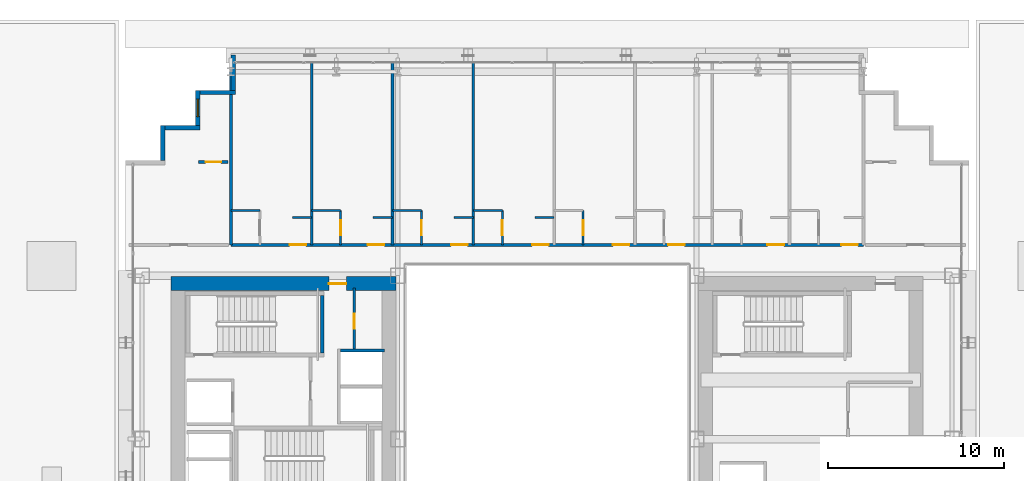
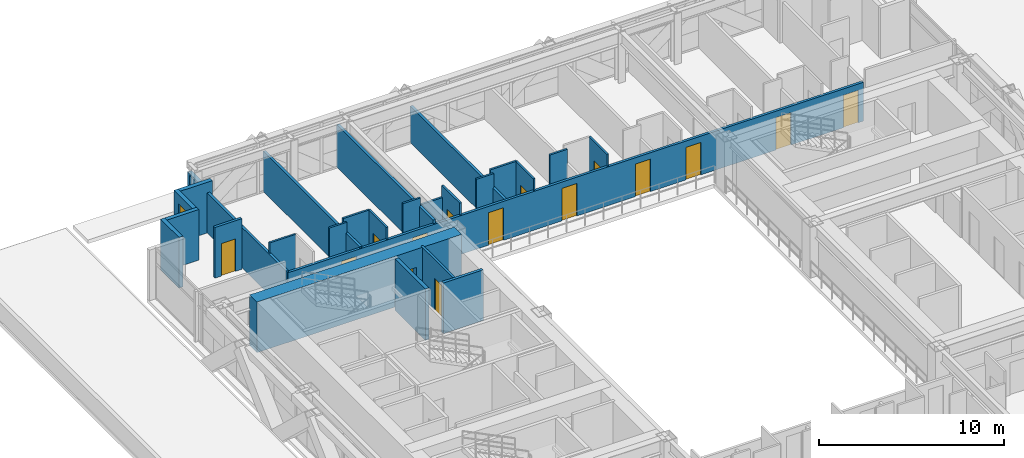
# One storey, part 29 of 35: 27 walls, 15 doors, 1 window, 16 openings.
"""IFC4 building model written with IfcOpenShell, lengths in metres."""

from ifc_helpers import new_model, si_unit, direction, frame, frame_2d, origin, place, context, subcontext, project, spatial, rectangle, extrude, source, transform, mapped, material, layer, layer_set, type_object, element, fill, save


model = new_model("IFC4")

# Units and contexts
model_context = context("Model", 3, precision=1e-05, world=origin(), true_north=direction((0.0, 1.0)))
body_context = subcontext(model_context, "Body", "Model", "MODEL_VIEW")
ifc_project = project(units=[si_unit("LENGTHUNIT", "METRE"), si_unit("AREAUNIT", "SQUARE_METRE"), si_unit("VOLUMEUNIT", "CUBIC_METRE"), si_unit("PLANEANGLEUNIT", "RADIAN"), si_unit("MASSUNIT", "GRAM", prefix="KILO")], contexts=[model_context])

# Site, building, storey
site_placement = place(None, origin())
site = spatial("IfcSite", under=ifc_project, at=site_placement, CompositionType="ELEMENT")
building_placement = place(site_placement, origin())
building = spatial("IfcBuilding", under=site, at=building_placement, Name="Ocotamira Hotel", CompositionType="ELEMENT")
storey_placement = place(building_placement, frame((0.0, 0.0, 34.800048828125)))
storey = spatial("IfcBuildingStorey", under=building, at=storey_placement, Name="L07", CompositionType="ELEMENT", Elevation=34.800048828125)

# Wall, opening, door
ifc_material_1 = material(Name="Concrete C60/75", Category="concrete")
ifc_layer_1 = layer(ifc_material_1, 0.800048828125)
ifc_layer_set_1 = layer_set([ifc_layer_1], Name="Concrete C60/75")
wall_type_1 = type_object("IfcWallType", Name="WL-CORE-800", PredefinedType="SHEAR", material=ifc_layer_set_1)
wall_1_placement = place(storey_placement, frame((10.60009765625, 37.0, 0.0), z_axis=(0.0, 0.0, 1.0), x_axis=(1.0, 0.0, 0.0)))
wall_1 = element("IfcWall", 1, at=wall_1_placement, inside=storey, type_object=wall_type_1, Name="L07 Shear Core Wall WCORE-N", PredefinedType="SHEAR", context=body_context, shape_type="SweptSolid", body=[
    extrude(rectangle(XDim=12.7998046875, YDim=0.800048828125, at=frame_2d((6.39990234375, 0.0))), origin(), (0.0, 0.0, 1.0), 3.349853515625),
])
opening_1_placement = place(wall_1_placement, frame((8.97998046875, 0.0, 0.0)))
opening_1 = element("IfcOpeningElement", 2, at=opening_1_placement, cuts=wall_1, Name="Opening D-FR2", PredefinedType="OPENING", context=body_context, shape_type="SweptSolid", body=[
    extrude(rectangle(XDim=1.0, YDim=2.14990234375, at=frame_2d((0.5, 1.074951171875))), frame((0.0, 0.41015625, 0.0), z_axis=(0.0, -1.0, 0.0), x_axis=(1.0, 0.0, 0.0)), (0.0, 0.0, 1.0), 0.820068359375),
])
ifc_material_2 = material(Name="Fire-rated acoustic timber-veneer door", Category="wood")
door_type_1 = type_object("IfcDoorType", Name="DR-FIRE-1000", OperationType="NOTDEFINED", PredefinedType="DOOR", material=ifc_material_2)
shared_shape_1 = source(origin(), body_context, "Body", "SweptSolid", [
    extrude(rectangle(XDim=1.0, YDim=2.14990234375, at=frame_2d((0.5, 1.074951171875))), frame((0.0, 0.02490234375, 0.0), z_axis=(0.0, -1.0, 0.0), x_axis=(1.0, 0.0, 0.0)), (0.0, 0.0, 1.0), 0.050048828125),
])
door_1_placement = place(opening_1_placement, origin())
door_1 = element("IfcDoor", 3, at=door_1_placement, inside=storey, type_object=door_type_1, Name="L07 Door ID-L07-WLOB-N-D [ID-L07-WLOB-N-D]", OperationType="SINGLE_SWING_RIGHT", OverallHeight=2.14990234375, OverallWidth=1.0, PredefinedType="DOOR", context=body_context, shape_type="MappedRepresentation", body=[
    mapped(shared_shape_1, transform((0.0, 0.0, 0.0), scale=1.0)),
])
fill(opening_1, door_1)

# Walls
ifc_material_3 = material(Name="Precast concrete C45/55", Category="concrete")
ifc_layer_2 = layer(ifc_material_3, 0.25)
ifc_layer_set_2 = layer_set([ifc_layer_2], Name="Precast concrete C45/55")
wall_type_2 = type_object("IfcWallType", Name="WL-EXT-SER-250", PredefinedType="SOLIDWALL", material=ifc_layer_set_2)
wall_2_placement = place(storey_placement, frame((14.125, 50.0, 0.0), z_axis=(0.0, 0.0, 1.0), x_axis=(0.0, -1.0, 0.0)))
element("IfcWall", 4, at=wall_2_placement, inside=storey, type_object=wall_type_2, Name="L07 Serrated Corner Wall 13", PredefinedType="SOLIDWALL", context=body_context, shape_type="SweptSolid", body=[
    extrude(rectangle(XDim=2.0, YDim=0.25, at=frame_2d((1.0, 0.0))), origin(), (0.0, 0.0, 1.0), 2.656982421875),
])
wall_3_placement = place(storey_placement, frame((14.25, 47.875, 0.0), z_axis=(0.0, 0.0, 1.0), x_axis=(-1.0, 0.0, 0.0)))
element("IfcWall", 5, at=wall_3_placement, inside=storey, type_object=wall_type_2, Name="L07 Serrated Corner Wall 14", PredefinedType="SOLIDWALL", context=body_context, shape_type="SweptSolid", body=[
    extrude(rectangle(XDim=2.0, YDim=0.25, at=frame_2d((1.0, 0.0))), origin(), (0.0, 0.0, 1.0), 3.349853515625),
])

# Wall, opening, window
wall_4_placement = place(storey_placement, frame((12.125, 48.0, 0.0), z_axis=(0.0, 0.0, 1.0), x_axis=(0.0, -1.0, 0.0)))
wall_4 = element("IfcWall", 6, at=wall_4_placement, inside=storey, type_object=wall_type_2, Name="L07 Serrated Corner Wall 15", PredefinedType="SOLIDWALL", context=body_context, shape_type="SweptSolid", body=[
    extrude(rectangle(XDim=2.0, YDim=0.25, at=frame_2d((1.0, 0.0))), origin(), (0.0, 0.0, 1.0), 3.349853515625),
])
opening_2_placement = place(wall_4_placement, frame((0.5, 0.0, 0.85009765625)))
opening_2 = element("IfcOpeningElement", 7, at=opening_2_placement, cuts=wall_4, Name="Opening WN-2", PredefinedType="OPENING", context=body_context, shape_type="SweptSolid", body=[
    extrude(rectangle(XDim=1.0, YDim=1.89990234375, at=frame_2d((0.5, 0.949951171875))), frame((0.0, 0.135009765625, 0.0), z_axis=(0.0, -1.0, 0.0), x_axis=(1.0, 0.0, 0.0)), (0.0, 0.0, 1.0), 0.27001953125),
])
ifc_material_4 = material(Name="Double-silver low-E solar glass", Category="glass")
window_type = type_object("IfcWindowType", Name="WIN-SER-1100", PartitioningType="SINGLE_PANEL", PredefinedType="WINDOW", material=ifc_material_4)
shared_shape_2 = source(origin(), body_context, "Body", "SweptSolid", [
    extrude(rectangle(XDim=1.0, YDim=1.89990234375, at=frame_2d((0.5, 0.949951171875))), frame((0.0, 0.030029296875, 0.0), z_axis=(0.0, -1.0, 0.0), x_axis=(1.0, 0.0, 0.0)), (0.0, 0.0, 1.0), 0.06005859375),
])
window_placement = place(opening_2_placement, origin())
window = element("IfcWindow", 8, at=window_placement, inside=storey, type_object=window_type, Name="L07 Serrated Corner Window 15", OverallHeight=1.89990234375, OverallWidth=1.0, PartitioningType="SINGLE_PANEL", PredefinedType="WINDOW", context=body_context, shape_type="MappedRepresentation", body=[
    mapped(shared_shape_2, transform((0.0, 0.0, 0.0), scale=1.0)),
])
fill(opening_2, window)

# Walls
for number, where, z_axis, x_axis, name in (
    (9, (12.25, 45.875, 0.0), (0.0, 0.0, 1.0), (-1.0, 0.0, 0.0), "L07 Serrated Corner Wall 16"),
    (10, (10.125, 46.0, 0.0), (0.0, 0.0, 1.0), (0.0, -1.0, 0.0), "L07 Serrated Corner Wall 17"),
):
    element("IfcWall", number, at=place(storey_placement, frame(where, z_axis=z_axis, x_axis=x_axis)), inside=storey, type_object=wall_type_2, Name=name, PredefinedType="SOLIDWALL", context=body_context, shape_type="SweptSolid", body=[
        extrude(rectangle(XDim=2.0, YDim=0.25, at=frame_2d((1.0, 0.0))), origin(), (0.0, 0.0, 1.0), 3.349853515625),
    ])

# Wall, opening, door
ifc_material_5 = material(Name="Acoustic double-layer fire gypsum board partition", Category="gypsum")
ifc_layer_3 = layer(ifc_material_5, 0.159912109375)
ifc_layer_set_3 = layer_set([ifc_layer_3], Name="Acoustic double-layer fire gypsum board partition")
wall_type_3 = type_object("IfcWallType", Name="WL-FIRE-160", PredefinedType="PARTITIONING", material=ifc_layer_set_3)
wall_5_placement = place(storey_placement, frame((12.14990234375, 43.919921875, 0.0), z_axis=(0.0, 0.0, 1.0), x_axis=(1.0, 0.0, 0.0)))
wall_5 = element("IfcWall", 11, at=wall_5_placement, inside=storey, type_object=wall_type_3, Name="L07 Interior Wall PW-L07-Z1A-CNW2-CW", PredefinedType="PARTITIONING", context=body_context, shape_type="SweptSolid", body=[
    extrude(rectangle(XDim=1.7001953125, YDim=0.159912109375, at=frame_2d((0.85009765625, 0.0))), origin(), (0.0, 0.0, 1.0), 3.349853515625),
])
opening_3_placement = place(wall_5_placement, frame((0.409912109375, 0.0, 0.0)))
opening_3 = element("IfcOpeningElement", 12, at=opening_3_placement, cuts=wall_5, Name="Opening D-SV2", PredefinedType="OPENING", context=body_context, shape_type="SweptSolid", body=[
    extrude(rectangle(XDim=0.8798828125, YDim=2.14990234375, at=frame_2d((0.43994140625, 1.074951171875))), frame((0.0, 0.08984375, 0.0), z_axis=(0.0, -1.0, 0.0), x_axis=(1.0, 0.0, 0.0)), (0.0, 0.0, 1.0), 0.179931640625),
])
ifc_material_6 = material(Name="Fire-rated painted steel service door", Category="steel")
door_type_2 = type_object("IfcDoorType", Name="DR-SERV-880", OperationType="NOTDEFINED", PredefinedType="DOOR", material=ifc_material_6)
shared_shape_3 = source(origin(), body_context, "Body", "SweptSolid", [
    extrude(rectangle(XDim=0.8798828125, YDim=2.14990234375, at=frame_2d((0.43994140625, 1.074951171875))), frame((0.0, 0.02490234375, 0.0), z_axis=(0.0, -1.0, 0.0), x_axis=(1.0, 0.0, 0.0)), (0.0, 0.0, 1.0), 0.050048828125),
])
door_2_placement = place(opening_3_placement, origin())
door_2 = element("IfcDoor", 13, at=door_2_placement, inside=storey, type_object=door_type_2, Name="L07 Door ID-L07-Z1A-CNW2-CD [ID-L07-Z1A-CNW2-CD]", OperationType="SINGLE_SWING_LEFT", OverallHeight=2.14990234375, OverallWidth=0.8798828125, PredefinedType="DOOR", context=body_context, shape_type="MappedRepresentation", body=[
    mapped(shared_shape_3, transform((0.0, 0.0, 0.0), scale=1.0)),
])
fill(opening_3, door_2)

# Wall, openings, doors
wall_6_placement = place(storey_placement, frame((14.0, 39.199951171875, 0.0), z_axis=(0.0, 0.0, 1.0), x_axis=(1.0, 0.0, 0.0)))
wall_6 = element("IfcWall", 14, at=wall_6_placement, inside=storey, type_object=wall_type_3, Name="L07 Interior Wall PW-L07-Z1AN-CORRW", PredefinedType="PARTITIONING", context=body_context, shape_type="SweptSolid", body=[
    extrude(rectangle(XDim=36.0, YDim=0.159912109375, at=frame_2d((18.0, 0.0))), origin(), (0.0, 0.0, 1.0), 2.571044921875),
])
opening_4_placement = place(wall_6_placement, frame((3.340087890625, 0.0, 0.0)))
opening_4 = element("IfcOpeningElement", 15, at=opening_4_placement, cuts=wall_6, Name="Opening D-GR1", PredefinedType="OPENING", context=body_context, shape_type="SweptSolid", body=[
    extrude(rectangle(XDim=0.93994140625, YDim=2.14990234375, at=frame_2d((0.469970703125, 1.074951171875))), frame((0.0, 0.08984375, 0.0), z_axis=(0.0, -1.0, 0.0), x_axis=(1.0, 0.0, 0.0)), (0.0, 0.0, 1.0), 0.179931640625),
])
opening_5_placement = place(wall_6_placement, frame((7.7900390625, 0.0, 0.0)))
opening_5 = element("IfcOpeningElement", 16, at=opening_5_placement, cuts=wall_6, Name="Opening D-GR1", PredefinedType="OPENING", context=body_context, shape_type="SweptSolid", body=[
    extrude(rectangle(XDim=0.93994140625, YDim=2.14990234375, at=frame_2d((0.469970703125, 1.074951171875))), frame((0.0, 0.08984375, 0.0), z_axis=(0.0, -1.0, 0.0), x_axis=(1.0, 0.0, 0.0)), (0.0, 0.0, 1.0), 0.179931640625),
])
opening_6_placement = place(wall_6_placement, frame((12.5400390625, 0.0, 0.0)))
opening_6 = element("IfcOpeningElement", 17, at=opening_6_placement, cuts=wall_6, Name="Opening D-GR1", PredefinedType="OPENING", context=body_context, shape_type="SweptSolid", body=[
    extrude(rectangle(XDim=0.93994140625, YDim=2.14990234375, at=frame_2d((0.469970703125, 1.074951171875))), frame((0.0, 0.08984375, 0.0), z_axis=(0.0, -1.0, 0.0), x_axis=(1.0, 0.0, 0.0)), (0.0, 0.0, 1.0), 0.179931640625),
])
opening_7_placement = place(wall_6_placement, frame((17.139892578125, 0.0, 0.0)))
opening_7 = element("IfcOpeningElement", 18, at=opening_7_placement, cuts=wall_6, Name="Opening D-GR1", PredefinedType="OPENING", context=body_context, shape_type="SweptSolid", body=[
    extrude(rectangle(XDim=0.93994140625, YDim=2.14990234375, at=frame_2d((0.469970703125, 1.074951171875))), frame((0.0, 0.08984375, 0.0), z_axis=(0.0, -1.0, 0.0), x_axis=(1.0, 0.0, 0.0)), (0.0, 0.0, 1.0), 0.179931640625),
])
opening_8_placement = place(wall_6_placement, frame((21.739990234375, 0.0, 0.0)))
opening_8 = element("IfcOpeningElement", 19, at=opening_8_placement, cuts=wall_6, Name="Opening D-GR1", PredefinedType="OPENING", context=body_context, shape_type="SweptSolid", body=[
    extrude(rectangle(XDim=0.93994140625, YDim=2.14990234375, at=frame_2d((0.469970703125, 1.074951171875))), frame((0.0, 0.08984375, 0.0), z_axis=(0.0, -1.0, 0.0), x_axis=(1.0, 0.0, 0.0)), (0.0, 0.0, 1.0), 0.179931640625),
])
opening_9_placement = place(wall_6_placement, frame((24.889892578125, 0.0, 0.0)))
opening_9 = element("IfcOpeningElement", 20, at=opening_9_placement, cuts=wall_6, Name="Opening D-GR1", PredefinedType="OPENING", context=body_context, shape_type="SweptSolid", body=[
    extrude(rectangle(XDim=0.93994140625, YDim=2.14990234375, at=frame_2d((0.469970703125, 1.074951171875))), frame((0.0, 0.08984375, 0.0), z_axis=(0.0, -1.0, 0.0), x_axis=(1.0, 0.0, 0.0)), (0.0, 0.0, 1.0), 0.179931640625),
])
opening_10_placement = place(wall_6_placement, frame((30.5400390625, 0.0, 0.0)))
opening_10 = element("IfcOpeningElement", 21, at=opening_10_placement, cuts=wall_6, Name="Opening D-GR1", PredefinedType="OPENING", context=body_context, shape_type="SweptSolid", body=[
    extrude(rectangle(XDim=0.93994140625, YDim=2.14990234375, at=frame_2d((0.469970703125, 1.074951171875))), frame((0.0, 0.08984375, 0.0), z_axis=(0.0, -1.0, 0.0), x_axis=(1.0, 0.0, 0.0)), (0.0, 0.0, 1.0), 0.179931640625),
])
opening_11_placement = place(wall_6_placement, frame((34.739990234375, 0.0, 0.0)))
opening_11 = element("IfcOpeningElement", 22, at=opening_11_placement, cuts=wall_6, Name="Opening D-GR1", PredefinedType="OPENING", context=body_context, shape_type="SweptSolid", body=[
    extrude(rectangle(XDim=0.93994140625, YDim=2.14990234375, at=frame_2d((0.469970703125, 1.074951171875))), frame((0.0, 0.08984375, 0.0), z_axis=(0.0, -1.0, 0.0), x_axis=(1.0, 0.0, 0.0)), (0.0, 0.0, 1.0), 0.179931640625),
])
ifc_material_7 = material(Name="Solid-core walnut suite entrance fire door", Category="wood")
door_type_3 = type_object("IfcDoorType", Name="DR-GUEST-940", OperationType="NOTDEFINED", PredefinedType="DOOR", material=ifc_material_7)
shared_shape_4 = source(origin(), body_context, "Body", "SweptSolid", [
    extrude(rectangle(XDim=0.93994140625, YDim=2.14990234375, at=frame_2d((0.469970703125, 1.074951171875))), frame((0.0, 0.02490234375, 0.0), z_axis=(0.0, -1.0, 0.0), x_axis=(1.0, 0.0, 0.0)), (0.0, 0.0, 1.0), 0.050048828125),
])
door_3_placement = place(opening_4_placement, origin())
door_3 = element("IfcDoor", 23, at=door_3_placement, inside=storey, type_object=door_type_3, Name="L07 Door ID-L07-Z1AN-RMD1 [ID-L07-Z1AN-RMD1]", OperationType="SINGLE_SWING_LEFT", OverallHeight=2.14990234375, OverallWidth=0.93994140625, PredefinedType="DOOR", context=body_context, shape_type="MappedRepresentation", body=[
    mapped(shared_shape_4, transform((0.0, 0.0, 0.0), scale=1.0)),
])
fill(opening_4, door_3)
door_4_placement = place(opening_5_placement, origin())
door_4 = element("IfcDoor", 24, at=door_4_placement, inside=storey, type_object=door_type_3, Name="L07 Door ID-L07-Z1AN-RMD2 [ID-L07-Z1AN-RMD2]", OperationType="SINGLE_SWING_RIGHT", OverallHeight=2.14990234375, OverallWidth=0.93994140625, PredefinedType="DOOR", context=body_context, shape_type="MappedRepresentation", body=[
    mapped(shared_shape_4, transform((0.0, 0.0, 0.0), scale=1.0)),
])
fill(opening_5, door_4)
door_5_placement = place(opening_6_placement, origin())
door_5 = element("IfcDoor", 25, at=door_5_placement, inside=storey, type_object=door_type_3, Name="L07 Door ID-L07-Z1AN-RMD3 [ID-L07-Z1AN-RMD3]", OperationType="SINGLE_SWING_LEFT", OverallHeight=2.14990234375, OverallWidth=0.93994140625, PredefinedType="DOOR", context=body_context, shape_type="MappedRepresentation", body=[
    mapped(shared_shape_4, transform((0.0, 0.0, 0.0), scale=1.0)),
])
fill(opening_6, door_5)
door_6_placement = place(opening_7_placement, origin())
door_6 = element("IfcDoor", 26, at=door_6_placement, inside=storey, type_object=door_type_3, Name="L07 Door ID-L07-Z1AN-RMD4 [ID-L07-Z1AN-RMD4]", OperationType="SINGLE_SWING_RIGHT", OverallHeight=2.14990234375, OverallWidth=0.93994140625, PredefinedType="DOOR", context=body_context, shape_type="MappedRepresentation", body=[
    mapped(shared_shape_4, transform((0.0, 0.0, 0.0), scale=1.0)),
])
fill(opening_7, door_6)
door_7_placement = place(opening_8_placement, origin())
door_7 = element("IfcDoor", 27, at=door_7_placement, inside=storey, type_object=door_type_3, Name="L07 Door ID-L07-Z1AN-RMD5 [ID-L07-Z1AN-RMD5]", OperationType="SINGLE_SWING_LEFT", OverallHeight=2.14990234375, OverallWidth=0.93994140625, PredefinedType="DOOR", context=body_context, shape_type="MappedRepresentation", body=[
    mapped(shared_shape_4, transform((0.0, 0.0, 0.0), scale=1.0)),
])
fill(opening_8, door_7)
door_8_placement = place(opening_9_placement, origin())
door_8 = element("IfcDoor", 28, at=door_8_placement, inside=storey, type_object=door_type_3, Name="L07 Door ID-L07-Z1AN-RMD6 [ID-L07-Z1AN-RMD6]", OperationType="SINGLE_SWING_RIGHT", OverallHeight=2.14990234375, OverallWidth=0.93994140625, PredefinedType="DOOR", context=body_context, shape_type="MappedRepresentation", body=[
    mapped(shared_shape_4, transform((0.0, 0.0, 0.0), scale=1.0)),
])
fill(opening_9, door_8)
door_9_placement = place(opening_10_placement, origin())
door_9 = element("IfcDoor", 29, at=door_9_placement, inside=storey, type_object=door_type_3, Name="L07 Door ID-L07-Z1AN-RMD7 [ID-L07-Z1AN-RMD7]", OperationType="SINGLE_SWING_LEFT", OverallHeight=2.14990234375, OverallWidth=0.93994140625, PredefinedType="DOOR", context=body_context, shape_type="MappedRepresentation", body=[
    mapped(shared_shape_4, transform((0.0, 0.0, 0.0), scale=1.0)),
])
fill(opening_10, door_9)
door_10_placement = place(opening_11_placement, origin())
door_10 = element("IfcDoor", 30, at=door_10_placement, inside=storey, type_object=door_type_3, Name="L07 Door ID-L07-Z1AN-RMD8 [ID-L07-Z1AN-RMD8]", OperationType="SINGLE_SWING_RIGHT", OverallHeight=2.14990234375, OverallWidth=0.93994140625, PredefinedType="DOOR", context=body_context, shape_type="MappedRepresentation", body=[
    mapped(shared_shape_4, transform((0.0, 0.0, 0.0), scale=1.0)),
])
fill(opening_11, door_10)

# Walls
ifc_material_8 = material(Name="Moisture-resistant en-suite tile and gypsum partition", Category="gypsum")
ifc_layer_4 = layer(ifc_material_8, 0.1201171875)
ifc_layer_set_4 = layer_set([ifc_layer_4], Name="Moisture-resistant en-suite tile and gypsum partition")
wall_type_4 = type_object("IfcWallType", Name="WL-PART-120", PredefinedType="PARTITIONING", material=ifc_layer_set_4)
wall_7_placement = place(storey_placement, frame((14.0, 41.14990234375, 0.0), z_axis=(0.0, 0.0, 1.0), x_axis=(1.0, 0.0, 0.0)))
element("IfcWall", 31, at=wall_7_placement, inside=storey, type_object=wall_type_4, Name="L07 Interior Wall PW-L07-Z1AN-BAN1", PredefinedType="PARTITIONING", context=body_context, shape_type="SweptSolid", body=[
    extrude(rectangle(XDim=1.64990234375, YDim=0.1201171875, at=frame_2d((0.824951171875, 0.0))), origin(), (0.0, 0.0, 1.0), 3.349853515625),
])
wall_8_placement = place(storey_placement, frame((17.5, 40.75, 0.0), z_axis=(0.0, 0.0, 1.0), x_axis=(1.0, 0.0, 0.0)))
element("IfcWall", 32, at=wall_8_placement, inside=storey, type_object=wall_type_4, Name="L07 Interior Wall PW-L07-Z1AN-DRN1", PredefinedType="PARTITIONING", context=body_context, shape_type="SweptSolid", body=[
    extrude(rectangle(XDim=1.10009765625, YDim=0.1201171875, at=frame_2d((0.550048828125, 0.0))), origin(), (0.0, 0.0, 1.0), 3.349853515625),
])

# Wall, opening, door
wall_9_placement = place(storey_placement, frame((20.25, 39.199951171875, 0.0), z_axis=(0.0, 0.0, 1.0), x_axis=(0.0, 1.0, 0.0)))
wall_9 = element("IfcWall", 33, at=wall_9_placement, inside=storey, type_object=wall_type_4, Name="L07 Interior Wall PW-L07-Z1AN-BAE2", PredefinedType="PARTITIONING", context=body_context, shape_type="SweptSolid", body=[
    extrude(rectangle(XDim=1.949951171875, YDim=0.1201171875, at=frame_2d((0.97509765625, 0.0))), origin(), (0.0, 0.0, 1.0), 3.349853515625),
])
opening_12_placement = place(wall_9_placement, frame((0.544921875, 0.0, 0.0)))
opening_12 = element("IfcOpeningElement", 34, at=opening_12_placement, cuts=wall_9, Name="Opening D-BA1", PredefinedType="OPENING", context=body_context, shape_type="SweptSolid", body=[
    extrude(rectangle(XDim=0.860107421875, YDim=2.10009765625, at=frame_2d((0.43017578125, 1.050048828125))), frame((0.0, 0.070068359375, 0.0), z_axis=(0.0, -1.0, 0.0), x_axis=(1.0, 0.0, 0.0)), (0.0, 0.0, 1.0), 0.14013671875),
])
ifc_material_9 = material(Name="Moisture-sealed en-suite timber door", Category="wood")
door_type_4 = type_object("IfcDoorType", Name="DR-BATH-860", OperationType="NOTDEFINED", PredefinedType="DOOR", material=ifc_material_9)
shared_shape_5 = source(origin(), body_context, "Body", "SweptSolid", [
    extrude(rectangle(XDim=0.860107421875, YDim=2.10009765625, at=frame_2d((0.43017578125, 1.050048828125))), frame((0.0, 0.02490234375, 0.0), z_axis=(0.0, -1.0, 0.0), x_axis=(1.0, 0.0, 0.0)), (0.0, 0.0, 1.0), 0.050048828125),
])
door_11_placement = place(opening_12_placement, origin())
door_11 = element("IfcDoor", 35, at=door_11_placement, inside=storey, type_object=door_type_4, Name="L07 Door ID-L07-Z1AN-BAD2 [ID-L07-Z1AN-BAD2]", OperationType="SINGLE_SWING_LEFT", OverallHeight=2.10009765625, OverallWidth=0.860107421875, PredefinedType="DOOR", context=body_context, shape_type="MappedRepresentation", body=[
    mapped(shared_shape_5, transform((0.0, 0.0, 0.0), scale=1.0)),
])
fill(opening_12, door_11)

# Walls
wall_10_placement = place(storey_placement, frame((18.60009765625, 41.14990234375, 0.0), z_axis=(0.0, 0.0, 1.0), x_axis=(1.0, 0.0, 0.0)))
element("IfcWall", 36, at=wall_10_placement, inside=storey, type_object=wall_type_4, Name="L07 Interior Wall PW-L07-Z1AN-BAN2", PredefinedType="PARTITIONING", context=body_context, shape_type="SweptSolid", body=[
    extrude(rectangle(XDim=1.64990234375, YDim=0.1201171875, at=frame_2d((0.824951171875, 0.0))), origin(), (0.0, 0.0, 1.0), 3.349853515625),
])
wall_11_placement = place(storey_placement, frame((22.10009765625, 40.75, 0.0), z_axis=(0.0, 0.0, 1.0), x_axis=(1.0, 0.0, 0.0)))
element("IfcWall", 37, at=wall_11_placement, inside=storey, type_object=wall_type_4, Name="L07 Interior Wall PW-L07-Z1AN-DRN2", PredefinedType="PARTITIONING", context=body_context, shape_type="SweptSolid", body=[
    extrude(rectangle(XDim=1.099853515625, YDim=0.1201171875, at=frame_2d((0.5498046875, 0.0))), origin(), (0.0, 0.0, 1.0), 3.349853515625),
])

# Wall, opening, door
wall_12_placement = place(storey_placement, frame((24.85009765625, 39.199951171875, 0.0), z_axis=(0.0, 0.0, 1.0), x_axis=(0.0, 1.0, 0.0)))
wall_12 = element("IfcWall", 38, at=wall_12_placement, inside=storey, type_object=wall_type_4, Name="L07 Interior Wall PW-L07-Z1AN-BAE3", PredefinedType="PARTITIONING", context=body_context, shape_type="SweptSolid", body=[
    extrude(rectangle(XDim=1.949951171875, YDim=0.1201171875, at=frame_2d((0.97509765625, 0.0))), origin(), (0.0, 0.0, 1.0), 3.349853515625),
])
opening_13_placement = place(wall_12_placement, frame((0.544921875, 0.0, 0.0)))
opening_13 = element("IfcOpeningElement", 39, at=opening_13_placement, cuts=wall_12, Name="Opening D-BA1", PredefinedType="OPENING", context=body_context, shape_type="SweptSolid", body=[
    extrude(rectangle(XDim=0.860107421875, YDim=2.10009765625, at=frame_2d((0.43017578125, 1.050048828125))), frame((0.0, 0.070068359375, 0.0), z_axis=(0.0, -1.0, 0.0), x_axis=(1.0, 0.0, 0.0)), (0.0, 0.0, 1.0), 0.14013671875),
])
door_12_placement = place(opening_13_placement, origin())
door_12 = element("IfcDoor", 40, at=door_12_placement, inside=storey, type_object=door_type_4, Name="L07 Door ID-L07-Z1AN-BAD3 [ID-L07-Z1AN-BAD3]", OperationType="SINGLE_SWING_RIGHT", OverallHeight=2.10009765625, OverallWidth=0.860107421875, PredefinedType="DOOR", context=body_context, shape_type="MappedRepresentation", body=[
    mapped(shared_shape_5, transform((0.0, 0.0, 0.0), scale=1.0)),
])
fill(opening_13, door_12)

# Walls
wall_13_placement = place(storey_placement, frame((23.199951171875, 41.14990234375, 0.0), z_axis=(0.0, 0.0, 1.0), x_axis=(1.0, 0.0, 0.0)))
element("IfcWall", 41, at=wall_13_placement, inside=storey, type_object=wall_type_4, Name="L07 Interior Wall PW-L07-Z1AN-BAN3", PredefinedType="PARTITIONING", context=body_context, shape_type="SweptSolid", body=[
    extrude(rectangle(XDim=1.650146484375, YDim=0.1201171875, at=frame_2d((0.8251953125, 0.0))), origin(), (0.0, 0.0, 1.0), 2.571044921875),
])
wall_14_placement = place(storey_placement, frame((26.699951171875, 40.75, 0.0), z_axis=(0.0, 0.0, 1.0), x_axis=(1.0, 0.0, 0.0)))
element("IfcWall", 42, at=wall_14_placement, inside=storey, type_object=wall_type_4, Name="L07 Interior Wall PW-L07-Z1AN-DRN3", PredefinedType="PARTITIONING", context=body_context, shape_type="SweptSolid", body=[
    extrude(rectangle(XDim=1.10009765625, YDim=0.1201171875, at=frame_2d((0.550048828125, 0.0))), origin(), (0.0, 0.0, 1.0), 3.349853515625),
])

# Wall, opening, door
wall_15_placement = place(storey_placement, frame((29.449951171875, 39.199951171875, 0.0), z_axis=(0.0, 0.0, 1.0), x_axis=(0.0, 1.0, 0.0)))
wall_15 = element("IfcWall", 43, at=wall_15_placement, inside=storey, type_object=wall_type_4, Name="L07 Interior Wall PW-L07-Z1AN-BAE4", PredefinedType="PARTITIONING", context=body_context, shape_type="SweptSolid", body=[
    extrude(rectangle(XDim=1.949951171875, YDim=0.1201171875, at=frame_2d((0.97509765625, 0.0))), origin(), (0.0, 0.0, 1.0), 3.349853515625),
])
opening_14_placement = place(wall_15_placement, frame((0.544921875, 0.0, 0.0)))
opening_14 = element("IfcOpeningElement", 44, at=opening_14_placement, cuts=wall_15, Name="Opening D-BA1", PredefinedType="OPENING", context=body_context, shape_type="SweptSolid", body=[
    extrude(rectangle(XDim=0.860107421875, YDim=2.10009765625, at=frame_2d((0.43017578125, 1.050048828125))), frame((0.0, 0.070068359375, 0.0), z_axis=(0.0, -1.0, 0.0), x_axis=(1.0, 0.0, 0.0)), (0.0, 0.0, 1.0), 0.14013671875),
])
door_13_placement = place(opening_14_placement, origin())
door_13 = element("IfcDoor", 45, at=door_13_placement, inside=storey, type_object=door_type_4, Name="L07 Door ID-L07-Z1AN-BAD4 [ID-L07-Z1AN-BAD4]", OperationType="SINGLE_SWING_LEFT", OverallHeight=2.10009765625, OverallWidth=0.860107421875, PredefinedType="DOOR", context=body_context, shape_type="MappedRepresentation", body=[
    mapped(shared_shape_5, transform((0.0, 0.0, 0.0), scale=1.0)),
])
fill(opening_14, door_13)

# Walls
wall_16_placement = place(storey_placement, frame((27.800048828125, 41.14990234375, 0.0), z_axis=(0.0, 0.0, 1.0), x_axis=(1.0, 0.0, 0.0)))
element("IfcWall", 46, at=wall_16_placement, inside=storey, type_object=wall_type_4, Name="L07 Interior Wall PW-L07-Z1AN-BAN4", PredefinedType="PARTITIONING", context=body_context, shape_type="SweptSolid", body=[
    extrude(rectangle(XDim=1.64990234375, YDim=0.1201171875, at=frame_2d((0.824951171875, 0.0))), origin(), (0.0, 0.0, 1.0), 3.349853515625),
])
wall_17_placement = place(storey_placement, frame((31.300048828125, 40.75, 0.0), z_axis=(0.0, 0.0, 1.0), x_axis=(1.0, 0.0, 0.0)))
element("IfcWall", 47, at=wall_17_placement, inside=storey, type_object=wall_type_4, Name="L07 Interior Wall PW-L07-Z1AN-DRN4", PredefinedType="PARTITIONING", context=body_context, shape_type="SweptSolid", body=[
    extrude(rectangle(XDim=1.099853515625, YDim=0.1201171875, at=frame_2d((0.5498046875, 0.0))), origin(), (0.0, 0.0, 1.0), 3.349853515625),
])

# Wall, opening, door
wall_18_placement = place(storey_placement, frame((34.050048828125, 39.199951171875, 0.0), z_axis=(0.0, 0.0, 1.0), x_axis=(0.0, 1.0, 0.0)))
wall_18 = element("IfcWall", 48, at=wall_18_placement, inside=storey, type_object=wall_type_4, Name="L07 Interior Wall PW-L07-Z1AN-BAE5", PredefinedType="PARTITIONING", context=body_context, shape_type="SweptSolid", body=[
    extrude(rectangle(XDim=1.949951171875, YDim=0.1201171875, at=frame_2d((0.97509765625, 0.0))), origin(), (0.0, 0.0, 1.0), 3.349853515625),
])
opening_15_placement = place(wall_18_placement, frame((0.544921875, 0.0, 0.0)))
opening_15 = element("IfcOpeningElement", 49, at=opening_15_placement, cuts=wall_18, Name="Opening D-BA1", PredefinedType="OPENING", context=body_context, shape_type="SweptSolid", body=[
    extrude(rectangle(XDim=0.860107421875, YDim=2.10009765625, at=frame_2d((0.43017578125, 1.050048828125))), frame((0.0, 0.070068359375, 0.0), z_axis=(0.0, -1.0, 0.0), x_axis=(1.0, 0.0, 0.0)), (0.0, 0.0, 1.0), 0.14013671875),
])
door_14_placement = place(opening_15_placement, origin())
door_14 = element("IfcDoor", 50, at=door_14_placement, inside=storey, type_object=door_type_4, Name="L07 Door ID-L07-Z1AN-BAD5 [ID-L07-Z1AN-BAD5]", OperationType="SINGLE_SWING_RIGHT", OverallHeight=2.10009765625, OverallWidth=0.860107421875, PredefinedType="DOOR", context=body_context, shape_type="MappedRepresentation", body=[
    mapped(shared_shape_5, transform((0.0, 0.0, 0.0), scale=1.0)),
])
fill(opening_15, door_14)

ifc_material_10 = material(Name="Acoustic hospitality gypsum board partition", Category="gypsum")
ifc_layer_5 = layer(ifc_material_10, 0.14208984375)
ifc_layer_set_5 = layer_set([ifc_layer_5], Name="Acoustic hospitality gypsum board partition")
wall_type_5 = type_object("IfcWallType", Name="WL-PART-142", PredefinedType="PARTITIONING", material=ifc_layer_set_5)
wall_19_placement = place(storey_placement, frame((21.02001953125, 33.280029296875, 0.0), z_axis=(0.0, 0.0, 1.0), x_axis=(0.0, 1.0, 0.0)))
wall_19 = element("IfcWall", 51, at=wall_19_placement, inside=storey, type_object=wall_type_5, Name="L07 Interior Wall PW-L07-WC-NE-W", PredefinedType="PARTITIONING", context=body_context, shape_type="SweptSolid", body=[
    extrude(rectangle(XDim=3.469970703125, YDim=0.14208984375, at=frame_2d((1.73486328125, 0.0))), origin(), (0.0, 0.0, 1.0), 3.349853515625),
])
opening_16_placement = place(wall_19_placement, frame((1.14990234375, 0.0, 0.0)))
opening_16 = element("IfcOpeningElement", 52, at=opening_16_placement, cuts=wall_19, Name="Opening D-SV1", PredefinedType="OPENING", context=body_context, shape_type="SweptSolid", body=[
    extrude(rectangle(XDim=0.840087890625, YDim=2.10009765625, at=frame_2d((0.419921875, 1.050048828125))), frame((0.0, 0.0810546875, 0.0), z_axis=(0.0, -1.0, 0.0), x_axis=(1.0, 0.0, 0.0)), (0.0, 0.0, 1.0), 0.162109375),
])
door_type_5 = type_object("IfcDoorType", Name="DR-SERV-840", OperationType="NOTDEFINED", PredefinedType="DOOR", material=ifc_material_6)
shared_shape_6 = source(origin(), body_context, "Body", "SweptSolid", [
    extrude(rectangle(XDim=0.840087890625, YDim=2.10009765625, at=frame_2d((0.419921875, 1.050048828125))), frame((0.0, 0.02490234375, 0.0), z_axis=(0.0, -1.0, 0.0), x_axis=(1.0, 0.0, 0.0)), (0.0, 0.0, 1.0), 0.050048828125),
])
door_15_placement = place(opening_16_placement, origin())
door_15 = element("IfcDoor", 53, at=door_15_placement, inside=storey, type_object=door_type_5, Name="L07 Door ID-L07-WC-NE-D [ID-L07-WC-NE-D]", OperationType="SINGLE_SWING_LEFT", OverallHeight=2.10009765625, OverallWidth=0.840087890625, PredefinedType="DOOR", context=body_context, shape_type="MappedRepresentation", body=[
    mapped(shared_shape_6, transform((0.0, 0.0, 0.0), scale=1.0)),
])
fill(opening_16, door_15)

# Walls
ifc_material_11 = material(Name="Acoustic double-stud hospitality gypsum partition", Category="gypsum")
ifc_layer_6 = layer(ifc_material_11, 0.159912109375)
ifc_layer_set_6 = layer_set([ifc_layer_6], Name="Acoustic double-stud hospitality gypsum partition")
wall_type_6 = type_object("IfcWallType", Name="WL-PART-160", PredefinedType="PARTITIONING", material=ifc_layer_set_6)
for number, where, z_axis, x_axis, name in (
    (54, (14.0, 39.199951171875, 0.0), (0.0, 0.0, 1.0), (0.0, 1.0, 0.0), "L07 Interior Wall PW-L07-Z1AN-PW0"),
    (55, (18.60009765625, 39.199951171875, 0.0), (0.0, 0.0, 1.0), (0.0, 1.0, 0.0), "L07 Interior Wall PW-L07-Z1AN-PW1"),
):
    element("IfcWall", number, at=place(storey_placement, frame(where, z_axis=z_axis, x_axis=x_axis)), inside=storey, type_object=wall_type_6, Name=name, PredefinedType="PARTITIONING", context=body_context, shape_type="SweptSolid", body=[
        extrude(rectangle(XDim=10.43994140625, YDim=0.159912109375, at=frame_2d((5.219970703125, 0.0))), origin(), (0.0, 0.0, 1.0), 2.656982421875),
    ])
wall_20_placement = place(storey_placement, frame((23.199951171875, 39.199951171875, 0.0), z_axis=(0.0, 0.0, 1.0), x_axis=(0.0, 1.0, 0.0)))
element("IfcWall", 56, at=wall_20_placement, inside=storey, type_object=wall_type_6, Name="L07 Interior Wall PW-L07-Z1AN-PW2", PredefinedType="PARTITIONING", context=body_context, shape_type="SweptSolid", body=[
    extrude(rectangle(XDim=10.43994140625, YDim=0.159912109375, at=frame_2d((5.219970703125, 0.0))), origin(), (0.0, 0.0, 1.0), 2.81298828125),
])
wall_21_placement = place(storey_placement, frame((27.800048828125, 39.199951171875, 0.0), z_axis=(0.0, 0.0, 1.0), x_axis=(0.0, 1.0, 0.0)))
element("IfcWall", 57, at=wall_21_placement, inside=storey, type_object=wall_type_6, Name="L07 Interior Wall PW-L07-Z1AN-PW3", PredefinedType="PARTITIONING", context=body_context, shape_type="SweptSolid", body=[
    extrude(rectangle(XDim=10.43994140625, YDim=0.159912109375, at=frame_2d((5.219970703125, 0.0))), origin(), (0.0, 0.0, 1.0), 2.4228515625),
])
ifc_material_12 = material(Name="Fire-rated gypsum shaftliner board assembly", Category="gypsum")
ifc_layer_7 = layer(ifc_material_12, 0.179931640625)
ifc_layer_set_7 = layer_set([ifc_layer_7], Name="Fire-rated gypsum shaftliner board assembly")
wall_type_7 = type_object("IfcWallType", Name="WL-SHAFT-180", PredefinedType="SOLIDWALL", material=ifc_layer_set_7)
wall_22_placement = place(storey_placement, frame((20.25, 33.199951171875, 0.0), z_axis=(0.0, 0.0, 1.0), x_axis=(1.0, 0.0, 0.0)))
element("IfcWall", 58, at=wall_22_placement, inside=storey, type_object=wall_type_7, Name="L07 Interior Wall PW-L07-LFW-BANK-obs-N", PredefinedType="SOLIDWALL", context=body_context, shape_type="SweptSolid", body=[
    extrude(rectangle(XDim=2.5, YDim=0.179931640625, at=frame_2d((1.25, 0.0))), origin(), (0.0, 0.0, 1.0), 3.349853515625),
])
ifc_material_13 = material(Name="Concrete C50/60", Category="concrete")
ifc_layer_8 = layer(ifc_material_13, 0.219970703125)
ifc_layer_set_8 = layer_set([ifc_layer_8], Name="Concrete C50/60")
wall_type_8 = type_object("IfcWallType", Name="WL-STAIR-220", PredefinedType="SHEAR", material=ifc_layer_set_8)
wall_23_placement = place(storey_placement, frame((19.199951171875, 33.050048828125, 0.0), z_axis=(0.0, 0.0, 1.0), x_axis=(0.0, 1.0, 0.0)))
element("IfcWall", 59, at=wall_23_placement, inside=storey, type_object=wall_type_8, Name="L07 Stair Shaft Structural Wall ST-2-E", PredefinedType="SHEAR", context=body_context, shape_type="SweptSolid", body=[
    extrude(rectangle(XDim=3.280029296875, YDim=0.219970703125, at=frame_2d((1.64013671875, 0.0))), origin(), (0.0, 0.0, 1.0), 3.39990234375),
])

save(model, "model.ifc")
